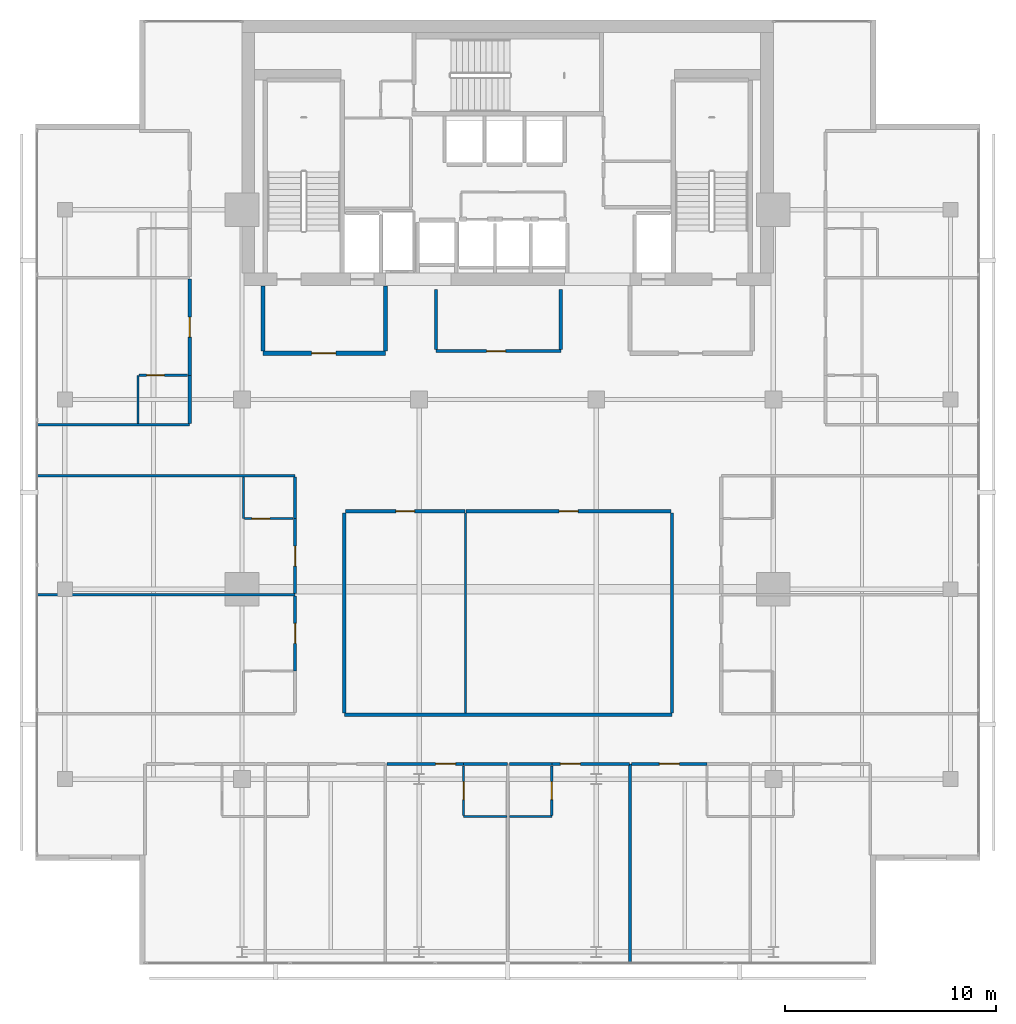
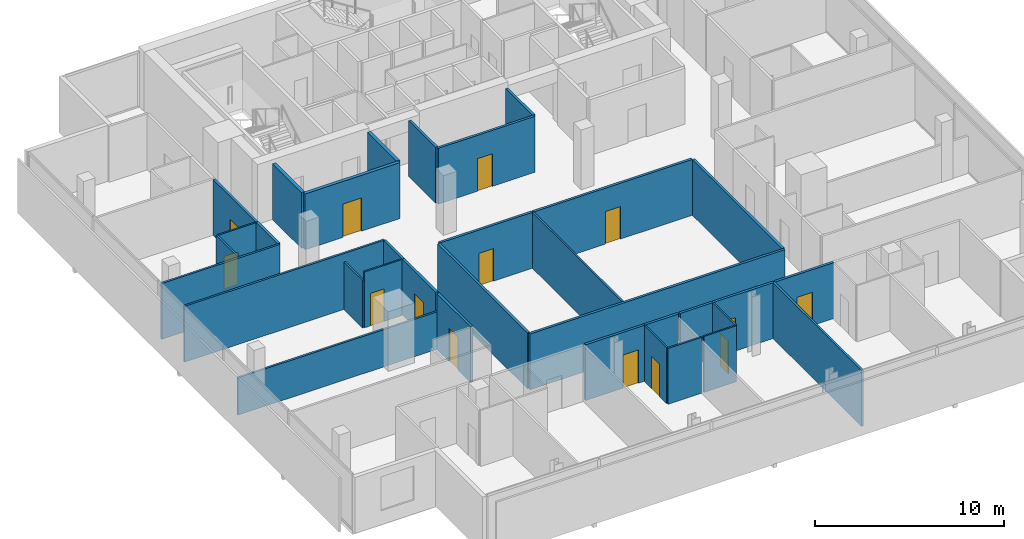
# One storey, part 20 of 25: 34 walls, 14 doors, 14 openings.
"""IFC4 building model written with IfcOpenShell, lengths in metres."""

from ifc_helpers import new_model, si_unit, direction, frame, frame_2d, origin, place, context, subcontext, project, spatial, rectangle, extrude, material, layer, layer_set, type_object, element, fill, save


model = new_model("IFC4")

# Units and contexts
model_context = context("Model", 3, precision=1e-05, world=origin(), true_north=direction((0.0, 1.0)))
body_context = subcontext(model_context, "Body", "Model", "MODEL_VIEW")
ifc_project = project(units=[si_unit("LENGTHUNIT", "METRE"), si_unit("AREAUNIT", "SQUARE_METRE"), si_unit("VOLUMEUNIT", "CUBIC_METRE"), si_unit("PLANEANGLEUNIT", "RADIAN"), si_unit("MASSUNIT", "GRAM", prefix="KILO")], contexts=[model_context])

# Site, building, storey
site_placement = place(None, origin())
site = spatial("IfcSite", under=ifc_project, at=site_placement, CompositionType="ELEMENT")
building_placement = place(site_placement, origin())
building = spatial("IfcBuilding", under=site, at=building_placement, Name="Maruvema Waterfront Hotel and Observation Tower", CompositionType="ELEMENT")
storey_placement = place(building_placement, frame((0.0, 0.0, 247.10009765625)))
storey = spatial("IfcBuildingStorey", under=building, at=storey_placement, Name="L60", CompositionType="ELEMENT", Elevation=247.10009765625)

# Wall, opening, door
ifc_material_1 = material(Name="Twin-stud acoustic gypsum drywall", Category="gypsum")
ifc_layer_1 = layer(ifc_material_1, 0.14990234375, Name="Acoustic Corridor and Suite Demising Wall 150 mm")
ifc_layer_set_1 = layer_set([ifc_layer_1], Name="Twin-stud acoustic gypsum drywall")
wall_type_1 = type_object("IfcWallType", Name="Acoustic Corridor and Suite Demising Wall 150 mm", PredefinedType="PARTITIONING", material=ifc_layer_set_1)
wall_1_placement = place(storey_placement, frame((34.39990234375, 38.300048828125, 0.0), z_axis=(0.0, 0.0, 1.0), x_axis=(1.0, 0.0, 0.0)))
wall_1 = element("IfcWall", 1, at=wall_1_placement, inside=storey, type_object=wall_type_1, Name="L60 Core Apron K0 South 022", PredefinedType="PARTITIONING", context=body_context, shape_type="SweptSolid", body=[
    extrude(rectangle(XDim=5.920166015625, YDim=0.14990234375, at=frame_2d((2.9599609375, 0.0))), origin(), (0.0, 0.0, 1.0), 3.60986328125),
])
opening_1_placement = place(wall_1_placement, frame((2.39990234375, 0.0, 0.0)))
opening_1 = element("IfcOpeningElement", 2, at=opening_1_placement, cuts=wall_1, Name="Opening DR-090", PredefinedType="OPENING", context=body_context, shape_type="SweptSolid", body=[
    extrude(rectangle(XDim=0.89990234375, YDim=2.10009765625, at=frame_2d((0.449951171875, 1.050048828125))), frame((0.0, 0.0849609375, 0.0), z_axis=(0.0, -1.0, 0.0), x_axis=(1.0, 0.0, 0.0)), (0.0, 0.0, 1.0), 0.169921875),
])
ifc_material_2 = material(Name="Solid-core lacquered timber leaf", Category="wood")
door_type_1 = type_object("IfcDoorType", Name="Accessible Toilet and Room Door 900x2100 mm", OperationType="NOTDEFINED", PredefinedType="DOOR", material=ifc_material_2)
door_1_placement = place(opening_1_placement, frame((0.89990234375, 0.0, 0.0), z_axis=(0.0, 0.0, 1.0), x_axis=(-1.0, 0.0, 0.0)))
door_1 = element("IfcDoor", 3, at=door_1_placement, inside=storey, type_object=door_type_1, Name="L60 Core Valet Room Door", OperationType="SINGLE_SWING_RIGHT", OverallHeight=2.10009765625, OverallWidth=0.89990234375, PredefinedType="DOOR", context=body_context, shape_type="SweptSolid", body=[
    extrude(rectangle(XDim=0.89990234375, YDim=2.10009765625, at=frame_2d((0.449951171875, 1.050048828125))), frame((0.0, 0.02490234375, 0.0), z_axis=(0.0, -1.0, 0.0), x_axis=(1.0, 0.0, 0.0)), (0.0, 0.0, 1.0), 0.050048828125),
])
fill(opening_1, door_1)

# Walls
for number, where, z_axis, x_axis, name in (
    (4, (34.39990234375, 38.3798828125, 0.0), (0.0, 0.0, 1.0), (0.0, 1.0, 0.0), "L60 Core Apron K0 West 023"),
    (5, (40.320068359375, 38.3798828125, 0.0), (0.0, 0.0, 1.0), (0.0, 1.0, 0.0), "L60 Core Apron K0 East 024"),
):
    element("IfcWall", number, at=place(storey_placement, frame(where, z_axis=z_axis, x_axis=x_axis)), inside=storey, type_object=wall_type_1, Name=name, PredefinedType="PARTITIONING", context=body_context, shape_type="SweptSolid", body=[
        extrude(rectangle(XDim=2.840087890625, YDim=0.14990234375, at=frame_2d((1.419921875, 0.0))), origin(), (0.0, 0.0, 1.0), 3.60986328125),
    ])
wall_2_placement = place(storey_placement, frame((30.050048828125, 21.050048828125, 0.0), z_axis=(0.0, 0.0, 1.0), x_axis=(1.0, 0.0, 0.0)))
element("IfcWall", 6, at=wall_2_placement, inside=storey, type_object=wall_type_1, Name="L60 L60-Z3M Back Wall 025", PredefinedType="PARTITIONING", context=body_context, shape_type="SweptSolid", body=[
    extrude(rectangle(XDim=15.550048828125, YDim=0.14990234375, at=frame_2d((7.77490234375, 0.0))), origin(), (0.0, 0.0, 1.0), 3.60986328125),
])
for number, where, z_axis, x_axis, name in (
    (7, (30.050048828125, 21.1298828125, 0.0), (0.0, 0.0, 1.0), (0.0, 1.0, 0.0), "L60 L60-Z3M West Wall 026"),
    (8, (45.60009765625, 21.1298828125, 0.0), (0.0, 0.0, 1.0), (0.0, 1.0, 0.0), "L60 L60-Z3M East Wall 027"),
):
    element("IfcWall", number, at=place(storey_placement, frame(where, z_axis=z_axis, x_axis=x_axis)), inside=storey, type_object=wall_type_1, Name=name, PredefinedType="PARTITIONING", context=body_context, shape_type="SweptSolid", body=[
        extrude(rectangle(XDim=9.490234375, YDim=0.14990234375, at=frame_2d((4.7451171875, 0.0))), origin(), (0.0, 0.0, 1.0), 3.60986328125),
    ])

# Wall, opening, door
wall_3_placement = place(storey_placement, frame((30.110107421875, 30.699951171875, 0.0), z_axis=(0.0, 0.0, 1.0), x_axis=(1.0, 0.0, 0.0)))
wall_3 = element("IfcWall", 9, at=wall_3_placement, inside=storey, type_object=wall_type_1, Name="L60 L60-Z3M Front 1 028", PredefinedType="PARTITIONING", context=body_context, shape_type="SweptSolid", body=[
    extrude(rectangle(XDim=5.663330078125, YDim=0.14990234375, at=frame_2d((2.83154296875, 0.0))), origin(), (0.0, 0.0, 1.0), 3.60986328125),
])
opening_2_placement = place(wall_3_placement, frame((2.381591796875, 0.0, 0.0)))
opening_2 = element("IfcOpeningElement", 10, at=opening_2_placement, cuts=wall_3, Name="Opening DR-090", PredefinedType="OPENING", context=body_context, shape_type="SweptSolid", body=[
    extrude(rectangle(XDim=0.89990234375, YDim=2.10009765625, at=frame_2d((0.449951171875, 1.050048828125))), frame((0.0, 0.0849609375, 0.0), z_axis=(0.0, -1.0, 0.0), x_axis=(1.0, 0.0, 0.0)), (0.0, 0.0, 1.0), 0.169921875),
])
door_2_placement = place(opening_2_placement, origin())
door_2 = element("IfcDoor", 11, at=door_2_placement, inside=storey, type_object=door_type_1, Name="L60 Butler Kitchenette Door", OperationType="SINGLE_SWING_LEFT", OverallHeight=2.10009765625, OverallWidth=0.89990234375, PredefinedType="DOOR", context=body_context, shape_type="SweptSolid", body=[
    extrude(rectangle(XDim=0.89990234375, YDim=2.10009765625, at=frame_2d((0.449951171875, 1.050048828125))), frame((0.0, 0.02490234375, 0.0), z_axis=(0.0, -1.0, 0.0), x_axis=(1.0, 0.0, 0.0)), (0.0, 0.0, 1.0), 0.050048828125),
])
fill(opening_2, door_2)

wall_4_placement = place(storey_placement, frame((35.83349609375, 30.699951171875, 0.0), z_axis=(0.0, 0.0, 1.0), x_axis=(1.0, 0.0, 0.0)))
wall_4 = element("IfcWall", 12, at=wall_4_placement, inside=storey, type_object=wall_type_1, Name="L60 L60-Z3M Front 2 030", PredefinedType="PARTITIONING", context=body_context, shape_type="SweptSolid", body=[
    extrude(rectangle(XDim=9.70654296875, YDim=0.14990234375, at=frame_2d((4.853271484375, 0.0))), origin(), (0.0, 0.0, 1.0), 3.60986328125),
])
opening_3_placement = place(wall_4_placement, frame((4.4033203125, 0.0, 0.0)))
opening_3 = element("IfcOpeningElement", 13, at=opening_3_placement, cuts=wall_4, Name="Opening DR-090", PredefinedType="OPENING", context=body_context, shape_type="SweptSolid", body=[
    extrude(rectangle(XDim=0.89990234375, YDim=2.10009765625, at=frame_2d((0.449951171875, 1.050048828125))), frame((0.0, 0.0849609375, 0.0), z_axis=(0.0, -1.0, 0.0), x_axis=(1.0, 0.0, 0.0)), (0.0, 0.0, 1.0), 0.169921875),
])
door_3_placement = place(opening_3_placement, origin())
door_3 = element("IfcDoor", 14, at=door_3_placement, inside=storey, type_object=door_type_1, Name="L60 Business Office 1 Door", OperationType="SINGLE_SWING_RIGHT", OverallHeight=2.10009765625, OverallWidth=0.89990234375, PredefinedType="DOOR", context=body_context, shape_type="SweptSolid", body=[
    extrude(rectangle(XDim=0.89990234375, YDim=2.10009765625, at=frame_2d((0.449951171875, 1.050048828125))), frame((0.0, 0.02490234375, 0.0), z_axis=(0.0, -1.0, 0.0), x_axis=(1.0, 0.0, 0.0)), (0.0, 0.0, 1.0), 0.050048828125),
])
fill(opening_3, door_3)

# Wall
wall_5_placement = place(storey_placement, frame((35.7099609375, 18.719970703125, 0.0), z_axis=(0.0, 0.0, 1.0), x_axis=(1.0, 0.0, 0.0)))
element("IfcWall", 15, at=wall_5_placement, inside=storey, type_object=wall_type_1, Name="L60 Bath L60-S3 Back Wall 043", PredefinedType="PARTITIONING", context=body_context, shape_type="SweptSolid", body=[
    extrude(rectangle(XDim=2.070068359375, YDim=0.14990234375, at=frame_2d((1.03515625, 0.0))), origin(), (0.0, 0.0, 1.0), 3.60986328125),
])

# Wall, opening, door
wall_6_placement = place(storey_placement, frame((32.080078125, 18.719970703125, 0.0), z_axis=(0.0, 0.0, 1.0), x_axis=(1.0, 0.0, 0.0)))
wall_6 = element("IfcWall", 16, at=wall_6_placement, inside=storey, type_object=wall_type_1, Name="L60 Unit L60-S3 Corridor Wall 046", PredefinedType="PARTITIONING", context=body_context, shape_type="SweptSolid", body=[
    extrude(rectangle(XDim=3.6298828125, YDim=0.14990234375, at=frame_2d((1.81494140625, 0.0))), origin(), (0.0, 0.0, 1.0), 3.60986328125),
])
opening_4_placement = place(wall_6_placement, frame((2.300048828125, 0.0, 0.0)))
opening_4 = element("IfcOpeningElement", 17, at=opening_4_placement, cuts=wall_6, Name="Opening DR-095", PredefinedType="OPENING", context=body_context, shape_type="SweptSolid", body=[
    extrude(rectangle(XDim=0.949951171875, YDim=2.14990234375, at=frame_2d((0.47509765625, 1.074951171875))), frame((0.0, 0.0849609375, 0.0), z_axis=(0.0, -1.0, 0.0), x_axis=(1.0, 0.0, 0.0)), (0.0, 0.0, 1.0), 0.169921875),
])
ifc_material_3 = material(Name="Acoustic solid-core hardwood timber leaf", Category="wood")
door_type_2 = type_object("IfcDoorType", Name="Guestroom Entrance Fire Door 950x2150 mm", OperationType="NOTDEFINED", PredefinedType="DOOR", material=ifc_material_3)
door_4_placement = place(opening_4_placement, frame((0.949951171875, 0.0, 0.0), z_axis=(0.0, 0.0, 1.0), x_axis=(-1.0, 0.0, 0.0)))
door_4 = element("IfcDoor", 18, at=door_4_placement, inside=storey, type_object=door_type_2, Name="L60 Unit L60-S3 Entrance Door", OperationType="SINGLE_SWING_RIGHT", OverallHeight=2.14990234375, OverallWidth=0.949951171875, PredefinedType="DOOR", context=body_context, shape_type="SweptSolid", body=[
    extrude(rectangle(XDim=0.949951171875, YDim=2.14990234375, at=frame_2d((0.47509765625, 1.074951171875))), frame((0.0, 0.02490234375, 0.0), z_axis=(0.0, -1.0, 0.0), x_axis=(1.0, 0.0, 0.0)), (0.0, 0.0, 1.0), 0.050048828125),
])
fill(opening_4, door_4)

# Wall
wall_7_placement = place(storey_placement, frame((37.8798828125, 18.719970703125, 0.0), z_axis=(0.0, 0.0, 1.0), x_axis=(1.0, 0.0, 0.0)))
element("IfcWall", 19, at=wall_7_placement, inside=storey, type_object=wall_type_1, Name="L60 Bath L60-S4 Back Wall 048", PredefinedType="PARTITIONING", context=body_context, shape_type="SweptSolid", body=[
    extrude(rectangle(XDim=2.010009765625, YDim=0.14990234375, at=frame_2d((1.0048828125, 0.0))), origin(), (0.0, 0.0, 1.0), 3.60986328125),
])

# Wall, opening, door
wall_8_placement = place(storey_placement, frame((39.889892578125, 18.719970703125, 0.0), z_axis=(0.0, 0.0, 1.0), x_axis=(1.0, 0.0, 0.0)))
wall_8 = element("IfcWall", 20, at=wall_8_placement, inside=storey, type_object=wall_type_1, Name="L60 Unit L60-S4 Corridor Wall 051", PredefinedType="PARTITIONING", context=body_context, shape_type="SweptSolid", body=[
    extrude(rectangle(XDim=3.690185546875, YDim=0.14990234375, at=frame_2d((1.84521484375, 0.0))), origin(), (0.0, 0.0, 1.0), 3.60986328125),
])
opening_5_placement = place(wall_8_placement, frame((0.409912109375, 0.0, 0.0)))
opening_5 = element("IfcOpeningElement", 21, at=opening_5_placement, cuts=wall_8, Name="Opening DR-095", PredefinedType="OPENING", context=body_context, shape_type="SweptSolid", body=[
    extrude(rectangle(XDim=0.949951171875, YDim=2.14990234375, at=frame_2d((0.47509765625, 1.074951171875))), frame((0.0, 0.0849609375, 0.0), z_axis=(0.0, -1.0, 0.0), x_axis=(1.0, 0.0, 0.0)), (0.0, 0.0, 1.0), 0.169921875),
])
door_5_placement = place(opening_5_placement, frame((0.949951171875, 0.0, 0.0), z_axis=(0.0, 0.0, 1.0), x_axis=(-1.0, 0.0, 0.0)))
door_5 = element("IfcDoor", 22, at=door_5_placement, inside=storey, type_object=door_type_2, Name="L60 Unit L60-S4 Entrance Door", OperationType="SINGLE_SWING_RIGHT", OverallHeight=2.14990234375, OverallWidth=0.949951171875, PredefinedType="DOOR", context=body_context, shape_type="SweptSolid", body=[
    extrude(rectangle(XDim=0.949951171875, YDim=2.14990234375, at=frame_2d((0.47509765625, 1.074951171875))), frame((0.0, 0.02490234375, 0.0), z_axis=(0.0, -1.0, 0.0), x_axis=(1.0, 0.0, 0.0)), (0.0, 0.0, 1.0), 0.050048828125),
])
fill(opening_5, door_5)

wall_9_placement = place(storey_placement, frame((43.679931640625, 18.719970703125, 0.0), z_axis=(0.0, 0.0, 1.0), x_axis=(1.0, 0.0, 0.0)))
wall_9 = element("IfcWall", 23, at=wall_9_placement, inside=storey, type_object=wall_type_1, Name="L60 Unit L60-S5 Corridor Wall 056", PredefinedType="PARTITIONING", context=body_context, shape_type="SweptSolid", body=[
    extrude(rectangle(XDim=3.570068359375, YDim=0.14990234375, at=frame_2d((1.78515625, 0.0))), origin(), (0.0, 0.0, 1.0), 3.60986328125),
])
opening_6_placement = place(wall_9_placement, frame((1.31005859375, 0.0, 0.0)))
opening_6 = element("IfcOpeningElement", 24, at=opening_6_placement, cuts=wall_9, Name="Opening DR-095", PredefinedType="OPENING", context=body_context, shape_type="SweptSolid", body=[
    extrude(rectangle(XDim=0.949951171875, YDim=2.14990234375, at=frame_2d((0.47509765625, 1.074951171875))), frame((0.0, 0.0849609375, 0.0), z_axis=(0.0, -1.0, 0.0), x_axis=(1.0, 0.0, 0.0)), (0.0, 0.0, 1.0), 0.169921875),
])
door_6_placement = place(opening_6_placement, frame((0.949951171875, 0.0, 0.0), z_axis=(0.0, 0.0, 1.0), x_axis=(-1.0, 0.0, 0.0)))
door_6 = element("IfcDoor", 25, at=door_6_placement, inside=storey, type_object=door_type_2, Name="L60 Unit L60-S5 Entrance Door", OperationType="SINGLE_SWING_RIGHT", OverallHeight=2.14990234375, OverallWidth=0.949951171875, PredefinedType="DOOR", context=body_context, shape_type="SweptSolid", body=[
    extrude(rectangle(XDim=0.949951171875, YDim=2.14990234375, at=frame_2d((0.47509765625, 1.074951171875))), frame((0.0, 0.02490234375, 0.0), z_axis=(0.0, -1.0, 0.0), x_axis=(1.0, 0.0, 0.0)), (0.0, 0.0, 1.0), 0.050048828125),
])
fill(opening_6, door_6)

wall_10_placement = place(storey_placement, frame((27.719970703125, 23.1298828125, 0.0), z_axis=(0.0, 0.0, 1.0), x_axis=(0.0, 1.0, 0.0)))
wall_10 = element("IfcWall", 26, at=wall_10_placement, inside=storey, type_object=wall_type_1, Name="L60 Room L60-W1 Corridor Wall 067", PredefinedType="PARTITIONING", context=body_context, shape_type="SweptSolid", body=[
    extrude(rectangle(XDim=3.550048828125, YDim=0.14990234375, at=frame_2d((1.77490234375, 0.0))), origin(), (0.0, 0.0, 1.0), 3.60986328125),
])
opening_7_placement = place(wall_10_placement, frame((1.300048828125, 0.0, 0.0)))
opening_7 = element("IfcOpeningElement", 27, at=opening_7_placement, cuts=wall_10, Name="Opening DR-095", PredefinedType="OPENING", context=body_context, shape_type="SweptSolid", body=[
    extrude(rectangle(XDim=0.949951171875, YDim=2.14990234375, at=frame_2d((0.47509765625, 1.074951171875))), frame((0.0, 0.0849609375, 0.0), z_axis=(0.0, -1.0, 0.0), x_axis=(1.0, 0.0, 0.0)), (0.0, 0.0, 1.0), 0.169921875),
])
door_7_placement = place(opening_7_placement, origin())
door_7 = element("IfcDoor", 28, at=door_7_placement, inside=storey, type_object=door_type_2, Name="L60 Room L60-W1 Entrance Door", OperationType="SINGLE_SWING_RIGHT", OverallHeight=2.14990234375, OverallWidth=0.949951171875, PredefinedType="DOOR", context=body_context, shape_type="SweptSolid", body=[
    extrude(rectangle(XDim=0.949951171875, YDim=2.14990234375, at=frame_2d((0.47509765625, 1.074951171875))), frame((0.0, 0.02490234375, 0.0), z_axis=(0.0, -1.0, 0.0), x_axis=(1.0, 0.0, 0.0)), (0.0, 0.0, 1.0), 0.050048828125),
])
fill(opening_7, door_7)

wall_11_placement = place(storey_placement, frame((27.719970703125, 26.800048828125, 0.0), z_axis=(0.0, 0.0, 1.0), x_axis=(0.0, 1.0, 0.0)))
wall_11 = element("IfcWall", 29, at=wall_11_placement, inside=storey, type_object=wall_type_1, Name="L60 Room L60-W2 Corridor Wall 076", PredefinedType="PARTITIONING", context=body_context, shape_type="SweptSolid", body=[
    extrude(rectangle(XDim=3.550048828125, YDim=0.14990234375, at=frame_2d((1.77490234375, 0.0))), origin(), (0.0, 0.0, 1.0), 3.60986328125),
])
opening_8_placement = place(wall_11_placement, frame((1.300048828125, 0.0, 0.0)))
opening_8 = element("IfcOpeningElement", 30, at=opening_8_placement, cuts=wall_11, Name="Opening DR-095", PredefinedType="OPENING", context=body_context, shape_type="SweptSolid", body=[
    extrude(rectangle(XDim=0.949951171875, YDim=2.14990234375, at=frame_2d((0.47509765625, 1.074951171875))), frame((0.0, 0.0849609375, 0.0), z_axis=(0.0, -1.0, 0.0), x_axis=(1.0, 0.0, 0.0)), (0.0, 0.0, 1.0), 0.169921875),
])
door_8_placement = place(opening_8_placement, origin())
door_8 = element("IfcDoor", 31, at=door_8_placement, inside=storey, type_object=door_type_2, Name="L60 Room L60-W2 Entrance Door", OperationType="SINGLE_SWING_RIGHT", OverallHeight=2.14990234375, OverallWidth=0.949951171875, PredefinedType="DOOR", context=body_context, shape_type="SweptSolid", body=[
    extrude(rectangle(XDim=0.949951171875, YDim=2.14990234375, at=frame_2d((0.47509765625, 1.074951171875))), frame((0.0, 0.02490234375, 0.0), z_axis=(0.0, -1.0, 0.0), x_axis=(1.0, 0.0, 0.0)), (0.0, 0.0, 1.0), 0.050048828125),
])
fill(opening_8, door_8)

# Walls
wall_12_placement = place(storey_placement, frame((27.719970703125, 30.35009765625, 0.0), z_axis=(0.0, 0.0, 1.0), x_axis=(0.0, 1.0, 0.0)))
element("IfcWall", 32, at=wall_12_placement, inside=storey, type_object=wall_type_1, Name="L60 Bath L60-W2 Wall 077", PredefinedType="PARTITIONING", context=body_context, shape_type="SweptSolid", body=[
    extrude(rectangle(XDim=1.969970703125, YDim=0.14990234375, at=frame_2d((0.98486328125, 0.0))), origin(), (0.0, 0.0, 1.0), 3.60986328125),
])
wall_13_placement = place(storey_placement, frame((22.719970703125, 34.860107421875, 0.0), z_axis=(0.0, 0.0, 1.0), x_axis=(0.0, 1.0, 0.0)))
element("IfcWall", 33, at=wall_13_placement, inside=storey, type_object=wall_type_1, Name="L60 Bath L60-NW1 Wall 088", PredefinedType="PARTITIONING", context=body_context, shape_type="SweptSolid", body=[
    extrude(rectangle(XDim=2.289794921875, YDim=0.14990234375, at=frame_2d((1.14501953125, 0.0))), origin(), (0.0, 0.0, 1.0), 3.60986328125),
])

# Wall, opening, door
wall_14_placement = place(storey_placement, frame((22.719970703125, 37.14990234375, 0.0), z_axis=(0.0, 0.0, 1.0), x_axis=(0.0, 1.0, 0.0)))
wall_14 = element("IfcWall", 34, at=wall_14_placement, inside=storey, type_object=wall_type_1, Name="L60 Room L60-NW1 Corridor Wall 089", PredefinedType="PARTITIONING", context=body_context, shape_type="SweptSolid", body=[
    extrude(rectangle(XDim=4.558837890625, YDim=0.14990234375, at=frame_2d((2.279296875, 0.0))), origin(), (0.0, 0.0, 1.0), 3.60986328125),
])
opening_9_placement = place(wall_14_placement, frame((1.804443359375, 0.0, 0.0)))
opening_9 = element("IfcOpeningElement", 35, at=opening_9_placement, cuts=wall_14, Name="Opening DR-095", PredefinedType="OPENING", context=body_context, shape_type="SweptSolid", body=[
    extrude(rectangle(XDim=0.949951171875, YDim=2.14990234375, at=frame_2d((0.47509765625, 1.074951171875))), frame((0.0, 0.0849609375, 0.0), z_axis=(0.0, -1.0, 0.0), x_axis=(1.0, 0.0, 0.0)), (0.0, 0.0, 1.0), 0.169921875),
])
door_9_placement = place(opening_9_placement, origin())
door_9 = element("IfcDoor", 36, at=door_9_placement, inside=storey, type_object=door_type_2, Name="L60 Room L60-NW1 Entrance Door", OperationType="SINGLE_SWING_RIGHT", OverallHeight=2.14990234375, OverallWidth=0.949951171875, PredefinedType="DOOR", context=body_context, shape_type="SweptSolid", body=[
    extrude(rectangle(XDim=0.949951171875, YDim=2.14990234375, at=frame_2d((0.47509765625, 1.074951171875))), frame((0.0, 0.02490234375, 0.0), z_axis=(0.0, -1.0, 0.0), x_axis=(1.0, 0.0, 0.0)), (0.0, 0.0, 1.0), 0.050048828125),
])
fill(opening_9, door_9)

# Walls
ifc_material_4 = material(Name="Moisture-resistant cement-board drywall", Category="gypsum")
ifc_layer_2 = layer(ifc_material_4, 0.10009765625, Name="En-Suite Moisture-Resistant Partition 100 mm")
ifc_layer_set_2 = layer_set([ifc_layer_2], Name="Moisture-resistant cement-board drywall")
wall_type_2 = type_object("IfcWallType", Name="En-Suite Moisture-Resistant Partition 100 mm", PredefinedType="PARTITIONING", material=ifc_layer_set_2)
wall_15_placement = place(storey_placement, frame((35.803466796875, 21.1298828125, 0.0), z_axis=(0.0, 0.0, 1.0), x_axis=(0.0, 1.0, 0.0)))
element("IfcWall", 37, at=wall_15_placement, inside=storey, type_object=wall_type_2, Name="L60 L60-Z3M Split 1 029", PredefinedType="PARTITIONING", context=body_context, shape_type="SweptSolid", body=[
    extrude(rectangle(XDim=9.490234375, YDim=0.10009765625, at=frame_2d((4.7451171875, 0.0))), origin(), (0.0, 0.0, 1.0), 3.60986328125),
])
wall_16_placement = place(storey_placement, frame((35.7099609375, 16.219970703125, 0.0), z_axis=(0.0, 0.0, 1.0), x_axis=(1.0, 0.0, 0.0)))
element("IfcWall", 38, at=wall_16_placement, inside=storey, type_object=wall_type_2, Name="L60 En-Suite L60-S3 South 044", PredefinedType="PARTITIONING", context=body_context, shape_type="SweptSolid", body=[
    extrude(rectangle(XDim=2.050048828125, YDim=0.10009765625, at=frame_2d((1.02490234375, 0.0))), origin(), (0.0, 0.0, 1.0), 3.60986328125),
])

# Wall, opening, door
wall_17_placement = place(storey_placement, frame((35.7099609375, 16.280029296875, 0.0), z_axis=(0.0, 0.0, 1.0), x_axis=(0.0, 1.0, 0.0)))
wall_17 = element("IfcWall", 39, at=wall_17_placement, inside=storey, type_object=wall_type_2, Name="L60 En-Suite L60-S3 West 045", PredefinedType="PARTITIONING", context=body_context, shape_type="SweptSolid", body=[
    extrude(rectangle(XDim=2.340087890625, YDim=0.10009765625, at=frame_2d((1.169921875, 0.0))), origin(), (0.0, 0.0, 1.0), 3.60986328125),
])
opening_10_placement = place(wall_17_placement, frame((0.7451171875, 0.0, 0.0)))
opening_10 = element("IfcOpeningElement", 40, at=opening_10_placement, cuts=wall_17, Name="Opening DR-085", PredefinedType="OPENING", context=body_context, shape_type="SweptSolid", body=[
    extrude(rectangle(XDim=0.85009765625, YDim=2.10009765625, at=frame_2d((0.425048828125, 1.050048828125))), frame((0.0, 0.06005859375, 0.0), z_axis=(0.0, -1.0, 0.0), x_axis=(1.0, 0.0, 0.0)), (0.0, 0.0, 1.0), 0.1201171875),
])
ifc_material_5 = material(Name="Moisture-resistant solid timber leaf", Category="wood")
door_type_3 = type_object("IfcDoorType", Name="En-Suite Bathroom Door 850x2100 mm", OperationType="NOTDEFINED", PredefinedType="DOOR", material=ifc_material_5)
door_10_placement = place(opening_10_placement, origin())
door_10 = element("IfcDoor", 41, at=door_10_placement, inside=storey, type_object=door_type_3, Name="L60 En-Suite L60-S3 Door", OperationType="SINGLE_SWING_LEFT", OverallHeight=2.10009765625, OverallWidth=0.85009765625, PredefinedType="DOOR", context=body_context, shape_type="SweptSolid", body=[
    extrude(rectangle(XDim=0.85009765625, YDim=2.10009765625, at=frame_2d((0.425048828125, 1.050048828125))), frame((0.0, 0.02490234375, 0.0), z_axis=(0.0, -1.0, 0.0), x_axis=(1.0, 0.0, 0.0)), (0.0, 0.0, 1.0), 0.050048828125),
])
fill(opening_10, door_10)

# Wall
wall_18_placement = place(storey_placement, frame((37.8798828125, 16.219970703125, 0.0), z_axis=(0.0, 0.0, 1.0), x_axis=(1.0, 0.0, 0.0)))
element("IfcWall", 42, at=wall_18_placement, inside=storey, type_object=wall_type_2, Name="L60 En-Suite L60-S4 South 049", PredefinedType="PARTITIONING", context=body_context, shape_type="SweptSolid", body=[
    extrude(rectangle(XDim=2.010009765625, YDim=0.10009765625, at=frame_2d((1.0048828125, 0.0))), origin(), (0.0, 0.0, 1.0), 3.60986328125),
])

# Wall, opening, door
wall_19_placement = place(storey_placement, frame((39.889892578125, 16.280029296875, 0.0), z_axis=(0.0, 0.0, 1.0), x_axis=(0.0, 1.0, 0.0)))
wall_19 = element("IfcWall", 43, at=wall_19_placement, inside=storey, type_object=wall_type_2, Name="L60 En-Suite L60-S4 East 050", PredefinedType="PARTITIONING", context=body_context, shape_type="SweptSolid", body=[
    extrude(rectangle(XDim=2.340087890625, YDim=0.10009765625, at=frame_2d((1.169921875, 0.0))), origin(), (0.0, 0.0, 1.0), 3.60986328125),
])
opening_11_placement = place(wall_19_placement, frame((0.7451171875, 0.0, 0.0)))
opening_11 = element("IfcOpeningElement", 44, at=opening_11_placement, cuts=wall_19, Name="Opening DR-085", PredefinedType="OPENING", context=body_context, shape_type="SweptSolid", body=[
    extrude(rectangle(XDim=0.85009765625, YDim=2.10009765625, at=frame_2d((0.425048828125, 1.050048828125))), frame((0.0, 0.06005859375, 0.0), z_axis=(0.0, -1.0, 0.0), x_axis=(1.0, 0.0, 0.0)), (0.0, 0.0, 1.0), 0.1201171875),
])
door_11_placement = place(opening_11_placement, frame((0.85009765625, 0.0, 0.0), z_axis=(0.0, 0.0, 1.0), x_axis=(-1.0, 0.0, 0.0)))
door_11 = element("IfcDoor", 45, at=door_11_placement, inside=storey, type_object=door_type_3, Name="L60 En-Suite L60-S4 Door", OperationType="SINGLE_SWING_LEFT", OverallHeight=2.10009765625, OverallWidth=0.85009765625, PredefinedType="DOOR", context=body_context, shape_type="SweptSolid", body=[
    extrude(rectangle(XDim=0.85009765625, YDim=2.10009765625, at=frame_2d((0.425048828125, 1.050048828125))), frame((0.0, 0.02490234375, 0.0), z_axis=(0.0, -1.0, 0.0), x_axis=(1.0, 0.0, 0.0)), (0.0, 0.0, 1.0), 0.050048828125),
])
fill(opening_11, door_11)

# Wall
wall_20_placement = place(storey_placement, frame((25.27001953125, 30.35009765625, 0.0), z_axis=(0.0, 0.0, 1.0), x_axis=(0.0, 1.0, 0.0)))
element("IfcWall", 46, at=wall_20_placement, inside=storey, type_object=wall_type_2, Name="L60 En-Suite L60-W2 W 078", PredefinedType="PARTITIONING", context=body_context, shape_type="SweptSolid", body=[
    extrude(rectangle(XDim=1.969970703125, YDim=0.10009765625, at=frame_2d((0.98486328125, 0.0))), origin(), (0.0, 0.0, 1.0), 3.076904296875),
])

# Wall, opening, door
wall_21_placement = place(storey_placement, frame((25.320068359375, 30.35009765625, 0.0), z_axis=(0.0, 0.0, 1.0), x_axis=(1.0, 0.0, 0.0)))
wall_21 = element("IfcWall", 47, at=wall_21_placement, inside=storey, type_object=wall_type_2, Name="L60 En-Suite L60-W2 S 079", PredefinedType="PARTITIONING", context=body_context, shape_type="SweptSolid", body=[
    extrude(rectangle(XDim=2.300048828125, YDim=0.10009765625, at=frame_2d((1.14990234375, 0.0))), origin(), (0.0, 0.0, 1.0), 3.60986328125),
])
opening_12_placement = place(wall_21_placement, frame((0.35009765625, 0.0, 0.0)))
opening_12 = element("IfcOpeningElement", 48, at=opening_12_placement, cuts=wall_21, Name="Opening DR-085", PredefinedType="OPENING", context=body_context, shape_type="SweptSolid", body=[
    extrude(rectangle(XDim=0.85009765625, YDim=2.10009765625, at=frame_2d((0.425048828125, 1.050048828125))), frame((0.0, 0.06005859375, 0.0), z_axis=(0.0, -1.0, 0.0), x_axis=(1.0, 0.0, 0.0)), (0.0, 0.0, 1.0), 0.1201171875),
])
door_12_placement = place(opening_12_placement, frame((0.85009765625, 0.0, 0.0), z_axis=(0.0, 0.0, 1.0), x_axis=(-1.0, 0.0, 0.0)))
door_12 = element("IfcDoor", 49, at=door_12_placement, inside=storey, type_object=door_type_3, Name="L60 En-Suite L60-W2 Door", OperationType="SINGLE_SWING_LEFT", OverallHeight=2.10009765625, OverallWidth=0.85009765625, PredefinedType="DOOR", context=body_context, shape_type="SweptSolid", body=[
    extrude(rectangle(XDim=0.85009765625, YDim=2.10009765625, at=frame_2d((0.425048828125, 1.050048828125))), frame((0.0, 0.02490234375, 0.0), z_axis=(0.0, -1.0, 0.0), x_axis=(1.0, 0.0, 0.0)), (0.0, 0.0, 1.0), 0.050048828125),
])
fill(opening_12, door_12)

# Wall
wall_22_placement = place(storey_placement, frame((20.27001953125, 34.860107421875, 0.0), z_axis=(0.0, 0.0, 1.0), x_axis=(0.0, 1.0, 0.0)))
element("IfcWall", 50, at=wall_22_placement, inside=storey, type_object=wall_type_2, Name="L60 En-Suite L60-NW1 W 090", PredefinedType="PARTITIONING", context=body_context, shape_type="SweptSolid", body=[
    extrude(rectangle(XDim=2.289794921875, YDim=0.10009765625, at=frame_2d((1.14501953125, 0.0))), origin(), (0.0, 0.0, 1.0), 3.60986328125),
])

# Wall, opening, door
wall_23_placement = place(storey_placement, frame((20.320068359375, 37.14990234375, 0.0), z_axis=(0.0, 0.0, 1.0), x_axis=(1.0, 0.0, 0.0)))
wall_23 = element("IfcWall", 51, at=wall_23_placement, inside=storey, type_object=wall_type_2, Name="L60 En-Suite L60-NW1 N 091", PredefinedType="PARTITIONING", context=body_context, shape_type="SweptSolid", body=[
    extrude(rectangle(XDim=2.300048828125, YDim=0.10009765625, at=frame_2d((1.14990234375, 0.0))), origin(), (0.0, 0.0, 1.0), 3.60986328125),
])
opening_13_placement = place(wall_23_placement, frame((0.35009765625, 0.0, 0.0)))
opening_13 = element("IfcOpeningElement", 52, at=opening_13_placement, cuts=wall_23, Name="Opening DR-085", PredefinedType="OPENING", context=body_context, shape_type="SweptSolid", body=[
    extrude(rectangle(XDim=0.85009765625, YDim=2.10009765625, at=frame_2d((0.425048828125, 1.050048828125))), frame((0.0, 0.06005859375, 0.0), z_axis=(0.0, -1.0, 0.0), x_axis=(1.0, 0.0, 0.0)), (0.0, 0.0, 1.0), 0.1201171875),
])
door_13_placement = place(opening_13_placement, origin())
door_13 = element("IfcDoor", 53, at=door_13_placement, inside=storey, type_object=door_type_3, Name="L60 En-Suite L60-NW1 Door", OperationType="SINGLE_SWING_LEFT", OverallHeight=2.10009765625, OverallWidth=0.85009765625, PredefinedType="DOOR", context=body_context, shape_type="SweptSolid", body=[
    extrude(rectangle(XDim=0.85009765625, YDim=2.10009765625, at=frame_2d((0.425048828125, 1.050048828125))), frame((0.0, 0.02490234375, 0.0), z_axis=(0.0, -1.0, 0.0), x_axis=(1.0, 0.0, 0.0)), (0.0, 0.0, 1.0), 0.050048828125),
])
fill(opening_13, door_13)

ifc_material_6 = material(Name="Autoclaved cellular concrete blockwork", Category="masonry")
ifc_layer_3 = layer(ifc_material_6, 0.199951171875, Name="Fire Compartment Masonry Wall 200 mm")
ifc_layer_set_3 = layer_set([ifc_layer_3], Name="Autoclaved cellular concrete blockwork")
wall_type_3 = type_object("IfcWallType", Name="Fire Compartment Masonry Wall 200 mm", PredefinedType="PARTITIONING", material=ifc_layer_set_3)
wall_24_placement = place(storey_placement, frame((26.199951171875, 38.199951171875, 0.0), z_axis=(0.0, 0.0, 1.0), x_axis=(1.0, 0.0, 0.0)))
wall_24 = element("IfcWall", 54, at=wall_24_placement, inside=storey, type_object=wall_type_3, Name="L60 FFL West South Wall 001", PredefinedType="PARTITIONING", context=body_context, shape_type="SweptSolid", body=[
    extrude(rectangle(XDim=5.800048828125, YDim=0.199951171875, at=frame_2d((2.89990234375, 0.0))), origin(), (0.0, 0.0, 1.0), 3.60986328125),
])
opening_14_placement = place(wall_24_placement, frame((2.300048828125, 0.0, 0.0)))
opening_14 = element("IfcOpeningElement", 55, at=opening_14_placement, cuts=wall_24, Name="Opening FD-115", PredefinedType="OPENING", context=body_context, shape_type="SweptSolid", body=[
    extrude(rectangle(XDim=1.14990234375, YDim=2.14990234375, at=frame_2d((0.574951171875, 1.074951171875))), frame((0.0, 0.10986328125, 0.0), z_axis=(0.0, -1.0, 0.0), x_axis=(1.0, 0.0, 0.0)), (0.0, 0.0, 1.0), 0.219970703125),
])
ifc_material_7 = material(Name="Fire-rated galvanised steel and vision glass", Category="steel")
door_type_4 = type_object("IfcDoorType", Name="Firefighting Lobby Fire Door 1150x2150 mm", OperationType="NOTDEFINED", PredefinedType="DOOR", material=ifc_material_7)
door_14_placement = place(opening_14_placement, frame((1.14990234375, 0.0, 0.0), z_axis=(0.0, 0.0, 1.0), x_axis=(-1.0, 0.0, 0.0)))
door_14 = element("IfcDoor", 56, at=door_14_placement, inside=storey, type_object=door_type_4, Name="L60 Firefighting Lobby West Door", OperationType="SINGLE_SWING_RIGHT", OverallHeight=2.14990234375, OverallWidth=1.14990234375, PredefinedType="DOOR", context=body_context, shape_type="SweptSolid", body=[
    extrude(rectangle(XDim=1.14990234375, YDim=2.14990234375, at=frame_2d((0.574951171875, 1.074951171875))), frame((0.0, 0.02490234375, 0.0), z_axis=(0.0, -1.0, 0.0), x_axis=(1.0, 0.0, 0.0)), (0.0, 0.0, 1.0), 0.050048828125),
])
fill(opening_14, door_14)

# Walls
for number, where, z_axis, x_axis, name in (
    (57, (26.199951171875, 38.31005859375, 0.0), (0.0, 0.0, 1.0), (0.0, 1.0, 0.0), "L60 FFL West West Wall 002"),
    (58, (32.0, 38.31005859375, 0.0), (0.0, 0.0, 1.0), (0.0, 1.0, 0.0), "L60 FFL West East Wall 003"),
):
    element("IfcWall", number, at=place(storey_placement, frame(where, z_axis=z_axis, x_axis=x_axis)), inside=storey, type_object=wall_type_3, Name=name, PredefinedType="PARTITIONING", context=body_context, shape_type="SweptSolid", body=[
        extrude(rectangle(XDim=3.06982421875, YDim=0.199951171875, at=frame_2d((1.534912109375, 0.0))), origin(), (0.0, 0.0, 1.0), 3.60986328125),
    ])
ifc_material_8 = material(Name="Acoustic gypsum plasterboard drywall", Category="gypsum")
ifc_layer_4 = layer(ifc_material_8, 0.125, Name="Guestroom Acoustic Demising Wall 125 mm")
ifc_layer_set_4 = layer_set([ifc_layer_4], Name="Acoustic gypsum plasterboard drywall")
wall_type_4 = type_object("IfcWallType", Name="Guestroom Acoustic Demising Wall 125 mm", PredefinedType="PARTITIONING", material=ifc_layer_set_4)
wall_25_placement = place(storey_placement, frame((43.60009765625, 9.300048828125, 0.0), z_axis=(0.0, 0.0, 1.0), x_axis=(0.0, 1.0, 0.0)))
element("IfcWall", 59, at=wall_25_placement, inside=storey, type_object=wall_type_4, Name="L60 Z3 S Demising 5 052", PredefinedType="PARTITIONING", context=body_context, shape_type="SweptSolid", body=[
    extrude(rectangle(XDim=9.419921875, YDim=0.125, at=frame_2d((4.7099609375, 0.0))), origin(), (0.0, 0.0, 1.0), 3.60986328125),
])
wall_26_placement = place(storey_placement, frame((15.5, 32.3798828125, 0.0), z_axis=(0.0, 0.0, 1.0), x_axis=(1.0, 0.0, 0.0)))
element("IfcWall", 60, at=wall_26_placement, inside=storey, type_object=wall_type_4, Name="L60 Z3 W Top End 064", PredefinedType="PARTITIONING", context=body_context, shape_type="SweptSolid", body=[
    extrude(rectangle(XDim=12.219970703125, YDim=0.125, at=frame_2d((6.10986328125, 0.0))), origin(), (0.0, 0.0, 1.0), 3.60986328125),
])
wall_27_placement = place(storey_placement, frame((15.5, 26.739990234375, 0.0), z_axis=(0.0, 0.0, 1.0), x_axis=(1.0, 0.0, 0.0)))
element("IfcWall", 61, at=wall_27_placement, inside=storey, type_object=wall_type_4, Name="L60 Z3 W Demising 2 074", PredefinedType="PARTITIONING", context=body_context, shape_type="SweptSolid", body=[
    extrude(rectangle(XDim=12.219970703125, YDim=0.125, at=frame_2d((6.10986328125, 0.0))), origin(), (0.0, 0.0, 1.0), 2.409912109375),
])
wall_28_placement = place(storey_placement, frame((15.5, 34.800048828125, 0.0), z_axis=(0.0, 0.0, 1.0), x_axis=(1.0, 0.0, 0.0)))
element("IfcWall", 62, at=wall_28_placement, inside=storey, type_object=wall_type_4, Name="L60 Z3 NW Bot End 084", PredefinedType="PARTITIONING", context=body_context, shape_type="SweptSolid", body=[
    extrude(rectangle(XDim=7.219970703125, YDim=0.125, at=frame_2d((3.60986328125, 0.0))), origin(), (0.0, 0.0, 1.0), 3.60986328125),
])

save(model, "model.ifc")
